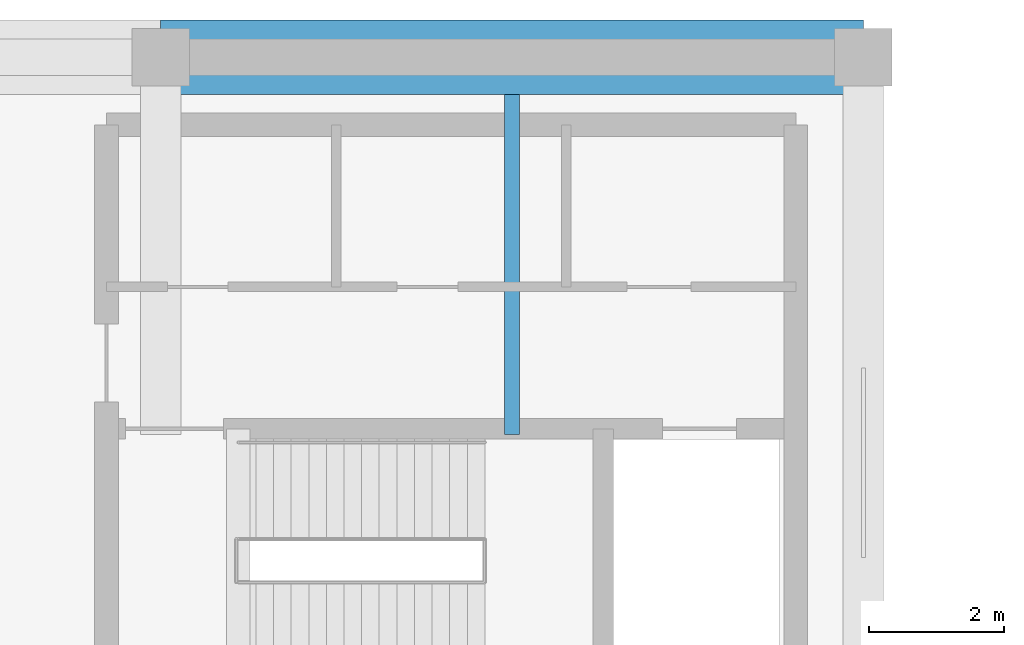
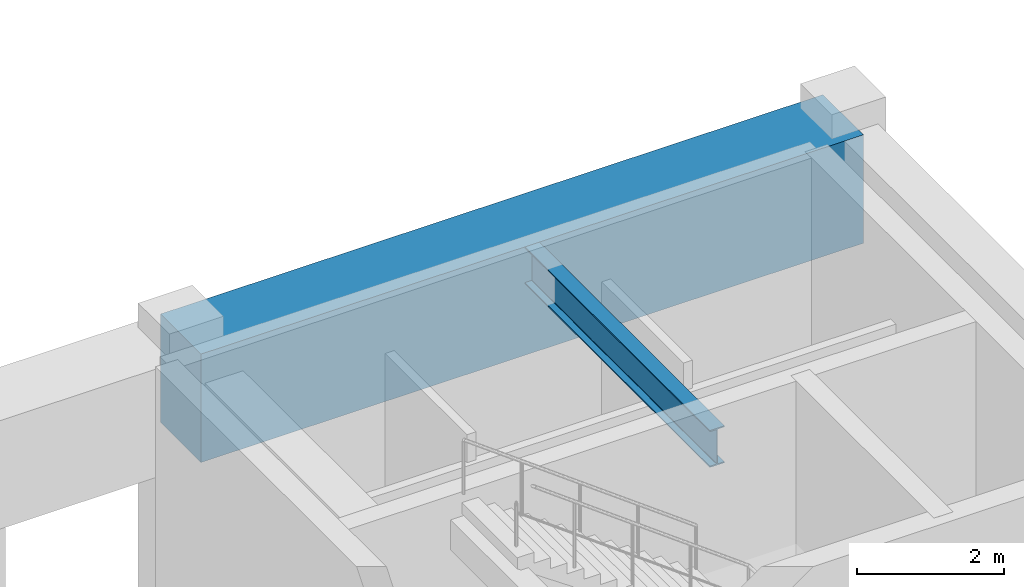
# One storey, part 146 of 197: 2 beams.
"""IFC4 building model written with IfcOpenShell, lengths in metres."""

from ifc_helpers import new_model, si_unit, derived_unit, direction, frame, origin, origin_2d, place, context, subcontext, project, spatial, rectangle, i_section, extrude, material, material_profile, profile_set, type_object, element, save


model = new_model("IFC4")

# Units and contexts
model_context = context("Model", 3, precision=1e-05, world=origin(), true_north=direction((0.0, 1.0)))
body_context = subcontext(model_context, "Body", "Model", "MODEL_VIEW")
ifc_project = project(units=[si_unit("LENGTHUNIT", "METRE"), si_unit("AREAUNIT", "SQUARE_METRE"), si_unit("VOLUMEUNIT", "CUBIC_METRE"), si_unit("PLANEANGLEUNIT", "RADIAN"), si_unit("MASSUNIT", "GRAM", prefix="KILO"), derived_unit("THERMALTRANSMITTANCEUNIT", [(si_unit("POWERUNIT", "WATT"), 1), (si_unit("LENGTHUNIT", "METRE"), -2), (si_unit("THERMODYNAMICTEMPERATUREUNIT", "KELVIN"), -1)])], contexts=[model_context])

# Site, building, storey
site_placement = place(None, origin())
site = spatial("IfcSite", under=ifc_project, at=site_placement, CompositionType="ELEMENT")
building_placement = place(site_placement, origin())
building = spatial("IfcBuilding", under=site, at=building_placement, Name="Almenara Railside Exhibition Hall", CompositionType="ELEMENT")
storey_placement = place(building_placement, frame((0.0, 0.0, 5.39990234375)))
storey = spatial("IfcBuildingStorey", under=building, at=storey_placement, Name="L01", CompositionType="ELEMENT", Elevation=5.39990234375)

# Beams
ifc_material_1 = material(Name="Concrete C40/50", Category="concrete")
ifc_material_profile_1 = material_profile(ifc_material_1, rectangle(XDim=1.10009765625, YDim=1.800048828125, at=origin_2d()), Name="RC 1100x1800")
ifc_profile_set_1 = profile_set([ifc_material_profile_1], Name="Concrete C40/50")
beam_type_1 = type_object("IfcBeamType", Name="RC End Transfer Girder 1100x1800 C40/50", PredefinedType="USERDEFINED", material=ifc_profile_set_1)
beam_1_placement = place(storey_placement, frame((55.60009765625, 132.0, 4.09619140625), z_axis=(1.0, 0.0, 0.0), x_axis=(0.0, 1.0, 0.0)))
element("IfcBeam", 1, at=beam_1_placement, inside=storey, type_object=beam_type_1, Name="Beam 0579", ObjectType="GIRDER", PredefinedType="USERDEFINED", context=body_context, shape_type="SweptSolid", body=[
    extrude(rectangle(XDim=1.10009765625, YDim=1.800048828125, at=origin_2d()), origin(), (0.0, 0.0, 1.0), 10.39990234375),
])
ifc_material_2 = material(Name="Structural steel S355JR", Category="steel")
ifc_material_profile_2 = material_profile(ifc_material_2, i_section(OverallWidth=0.22900390625, OverallDepth=0.6123046875, WebThickness=0.011962890625, FlangeThickness=0.01953125, FilletRadius=0.0126953125, at=origin_2d()), Name="UB 610x229x125")
ifc_profile_set_2 = profile_set([ifc_material_profile_2], Name="Structural steel S355JR")
beam_type_2 = type_object("IfcBeamType", Name="Steel Gallery Girder UB 610x229x125 S355JR", PredefinedType="USERDEFINED", material=ifc_profile_set_2)
beam_2_placement = place(storey_placement, frame((60.800048828125, 126.419921875, 4.68994140625), z_axis=(0.0, 1.0, 0.0), x_axis=(-1.0, 0.0, 0.0)))
element("IfcBeam", 2, at=beam_2_placement, inside=storey, type_object=beam_type_2, Name="Beam 0659", ObjectType="GIRDER", PredefinedType="USERDEFINED", context=body_context, shape_type="SweptSolid", body=[
    extrude(i_section(OverallWidth=0.22900390625, OverallDepth=0.6123046875, WebThickness=0.011962890625, FlangeThickness=0.01953125, FilletRadius=0.0126953125, at=origin_2d()), origin(), (0.0, 0.0, 1.0), 5.030029296875),
])

save(model, "model.ifc")
